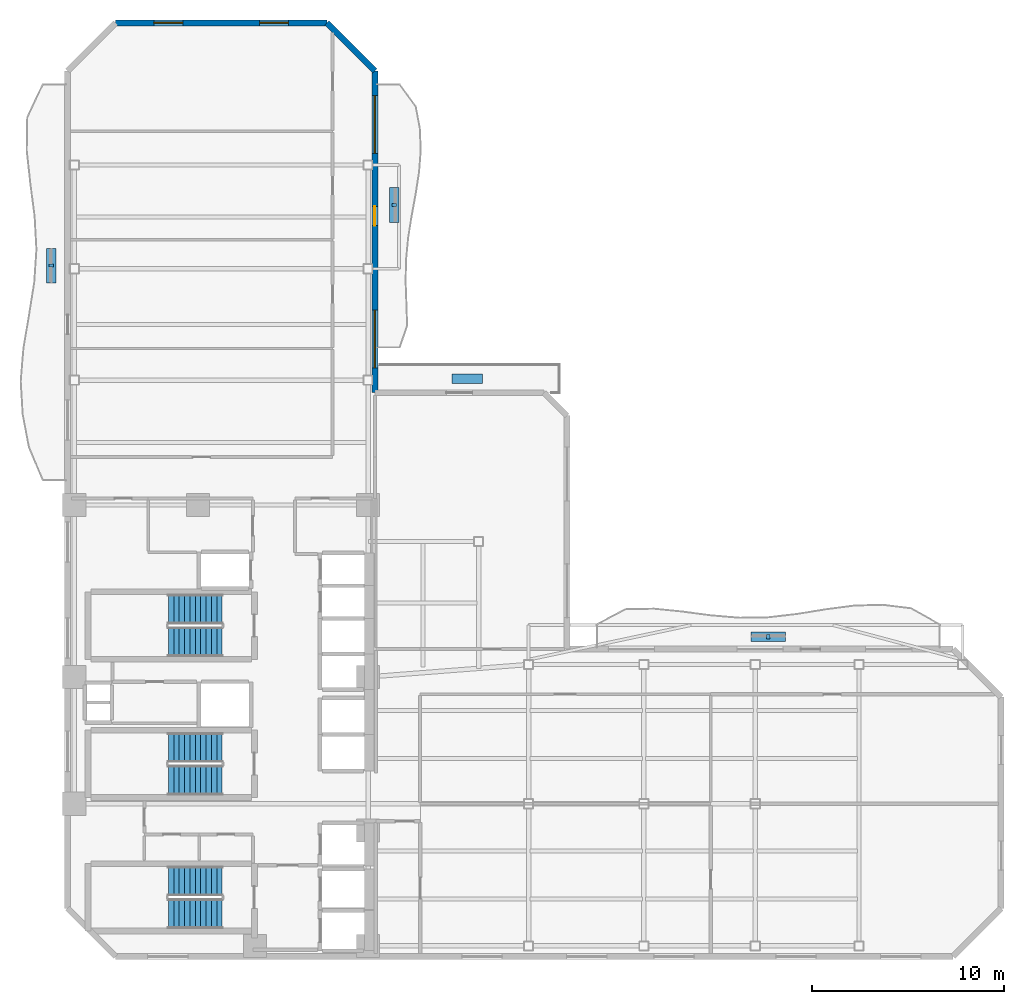
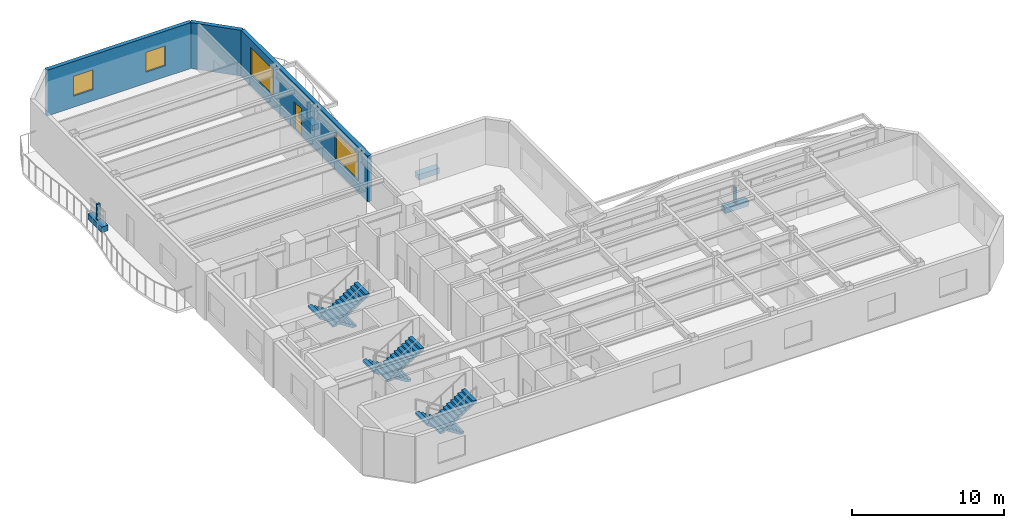
# One storey, part 6 of 9: 7 discrete accessories, 6 stair flights, 4 windows, 3 walls, 1 door, 5 openings, 3 elements without a shape of their own.
"""IFC4 building model written with IfcOpenShell, lengths in metres."""

from ifc_helpers import new_model, si_unit, direction, frame, frame_2d, origin, origin_2d, place, context, subcontext, project, spatial, polyline, rectangle, outline, extrude, material, layer, layer_set, type_object, element, fill, aggregate, save


model = new_model("IFC4")

# Units and contexts
model_context = context("Model", 3, precision=1e-05, world=origin(), true_north=direction((0.0, 1.0)))
body_context = subcontext(model_context, "Body", "Model", "MODEL_VIEW")
ifc_project = project(units=[si_unit("LENGTHUNIT", "METRE"), si_unit("AREAUNIT", "SQUARE_METRE"), si_unit("VOLUMEUNIT", "CUBIC_METRE"), si_unit("PLANEANGLEUNIT", "RADIAN"), si_unit("MASSUNIT", "GRAM", prefix="KILO")], contexts=[model_context])

# Site, building, storey
site_placement = place(None, origin())
site = spatial("IfcSite", under=ifc_project, at=site_placement, CompositionType="ELEMENT")
building_placement = place(site_placement, origin())
building = spatial("IfcBuilding", under=site, at=building_placement, Name="Mawjaban Terraces University", CompositionType="ELEMENT")
storey_placement = place(building_placement, frame((0.0, 0.0, 115.10009765625)))
storey = spatial("IfcBuildingStorey", under=building, at=storey_placement, Name="L27", CompositionType="ELEMENT", Elevation=115.10009765625)

# Wall, openings, door, windows
ifc_material_1 = material(Name="Insulated terracotta rainscreen on concrete backup C40/50", Category="masonry")
ifc_layer = layer(ifc_material_1, 0.300048828125)
ifc_layer_set = layer_set([ifc_layer], Name="Insulated terracotta rainscreen on concrete backup C40/50")
wall_type = type_object("IfcWallType", Name="ExtTerracottaWall_300", PredefinedType="SOLIDWALL", material=ifc_layer_set)
wall_1_placement = place(storey_placement, frame((38.0, 29.35009765625, 0.0), z_axis=(0.0, 0.0, 1.0), x_axis=(0.0, 1.0, 0.0)))
wall_1 = element("IfcWall", 1, at=wall_1_placement, inside=storey, type_object=wall_type, Name="L27 Exterior Terracotta Wall 9", PredefinedType="SOLIDWALL", context=body_context, shape_type="SweptSolid", body=[
    extrude(rectangle(XDim=16.75, YDim=0.300048828125, at=frame_2d((8.375, 0.0))), origin(), (0.0, 0.0, 1.0), 3.68994140625),
])
opening_1_placement = place(wall_1_placement, frame((8.699951171875, 0.0, 0.0)))
opening_1 = element("IfcOpeningElement", 2, at=opening_1_placement, cuts=wall_1, Name="Opening BD-100", PredefinedType="OPENING", context=body_context, shape_type="SweptSolid", body=[
    extrude(rectangle(XDim=1.0, YDim=2.199951171875, at=frame_2d((0.5, 1.10009765625))), frame((0.0, 0.159912109375, 0.0), z_axis=(0.0, -1.0, 0.0), x_axis=(1.0, 0.0, 0.0)), (0.0, 0.0, 1.0), 0.320068359375),
])
opening_2_placement = place(wall_1_placement, frame((1.2919921875, 0.0, 0.89990234375)))
opening_2 = element("IfcOpeningElement", 3, at=opening_2_placement, cuts=wall_1, Name="Opening W-12", PredefinedType="OPENING", context=body_context, shape_type="SweptSolid", body=[
    extrude(rectangle(XDim=3.0, YDim=2.199951171875, at=frame_2d((1.5, 1.10009765625))), frame((0.0, 0.159912109375, 0.0), z_axis=(0.0, -1.0, 0.0), x_axis=(1.0, 0.0, 0.0)), (0.0, 0.0, 1.0), 0.320068359375),
])
opening_3_placement = place(wall_1_placement, frame((12.4580078125, 0.0, 0.89990234375)))
opening_3 = element("IfcOpeningElement", 4, at=opening_3_placement, cuts=wall_1, Name="Opening W-12", PredefinedType="OPENING", context=body_context, shape_type="SweptSolid", body=[
    extrude(rectangle(XDim=3.0, YDim=2.199951171875, at=frame_2d((1.5, 1.10009765625))), frame((0.0, 0.159912109375, 0.0), z_axis=(0.0, -1.0, 0.0), x_axis=(1.0, 0.0, 0.0)), (0.0, 0.0, 1.0), 0.320068359375),
])
ifc_material_2 = material(Name="Thermally broken anodised aluminium and laminated safety glass", Category="aluminium")
door_type = type_object("IfcDoorType", Name="BalconyGlazedDoor_1000x2200", OperationType="NOTDEFINED", PredefinedType="DOOR", material=ifc_material_2)
door_placement = place(opening_1_placement, origin())
door = element("IfcDoor", 5, at=door_placement, inside=storey, type_object=door_type, Name="L27 Balcony Access Door inner_east", OperationType="SINGLE_SWING_RIGHT", OverallHeight=2.199951171875, OverallWidth=1.0, PredefinedType="DOOR", context=body_context, shape_type="SweptSolid", body=[
    extrude(rectangle(XDim=1.0, YDim=2.199951171875, at=frame_2d((0.5, 1.10009765625))), frame((0.0, 0.02490234375, 0.0), z_axis=(0.0, -1.0, 0.0), x_axis=(1.0, 0.0, 0.0)), (0.0, 0.0, 1.0), 0.050048828125),
])
fill(opening_1, door)
ifc_material_3 = material(Name="Low-E solar-control double glazing in thermally broken aluminium frame", Category="aluminium")
window_type_1 = type_object("IfcWindowType", Name="Win_3000x2200", PartitioningType="SINGLE_PANEL", PredefinedType="WINDOW", material=ifc_material_3)
window_1_placement = place(opening_2_placement, origin())
window_1 = element("IfcWindow", 6, at=window_1_placement, inside=storey, type_object=window_type_1, Name="L27 Facade Window 9.1", OverallHeight=2.199951171875, OverallWidth=3.0, PartitioningType="SINGLE_PANEL", PredefinedType="WINDOW", context=body_context, shape_type="SweptSolid", body=[
    extrude(rectangle(XDim=3.0, YDim=2.199951171875, at=frame_2d((1.5, 1.10009765625))), frame((0.0, 0.030029296875, 0.0), z_axis=(0.0, -1.0, 0.0), x_axis=(1.0, 0.0, 0.0)), (0.0, 0.0, 1.0), 0.06005859375),
])
fill(opening_2, window_1)
window_2_placement = place(opening_3_placement, origin())
window_2 = element("IfcWindow", 7, at=window_2_placement, inside=storey, type_object=window_type_1, Name="L27 Facade Window 9.3", OverallHeight=2.199951171875, OverallWidth=3.0, PartitioningType="SINGLE_PANEL", PredefinedType="WINDOW", context=body_context, shape_type="SweptSolid", body=[
    extrude(rectangle(XDim=3.0, YDim=2.199951171875, at=frame_2d((1.5, 1.10009765625))), frame((0.0, 0.030029296875, 0.0), z_axis=(0.0, -1.0, 0.0), x_axis=(1.0, 0.0, 0.0)), (0.0, 0.0, 1.0), 0.06005859375),
])
fill(opening_3, window_2)

# Wall
wall_2_placement = place(storey_placement, frame((38.0, 46.10009765625, 0.0), z_axis=(0.0, 0.0, 1.0), x_axis=(-0.707106781187, 0.707106781187, 0.0)))
element("IfcWall", 8, at=wall_2_placement, inside=storey, type_object=wall_type, Name="L27 Exterior Terracotta Wall 10", PredefinedType="SOLIDWALL", context=body_context, shape_type="SweptSolid", body=[
    extrude(rectangle(XDim=3.53564453125, YDim=0.300048828125, at=frame_2d((1.767822265625, 0.0))), origin(), (0.0, 0.0, 1.0), 3.68994140625),
])

# Wall, openings, windows
wall_3_placement = place(storey_placement, frame((35.5, 48.60009765625, 0.0), z_axis=(0.0, 0.0, 1.0), x_axis=(-1.0, 0.0, 0.0)))
wall_3 = element("IfcWall", 9, at=wall_3_placement, inside=storey, type_object=wall_type, Name="L27 Exterior Terracotta Wall 11", PredefinedType="SOLIDWALL", context=body_context, shape_type="SweptSolid", body=[
    extrude(rectangle(XDim=11.0, YDim=0.300048828125, at=frame_2d((5.5, 0.0))), origin(), (0.0, 0.0, 1.0), 3.68994140625),
])
opening_4_placement = place(wall_3_placement, frame((2.0, 0.0, 0.89990234375)))
opening_4 = element("IfcOpeningElement", 10, at=opening_4_placement, cuts=wall_3, Name="Opening W-02", PredefinedType="OPENING", context=body_context, shape_type="SweptSolid", body=[
    extrude(rectangle(XDim=1.5, YDim=1.60009765625, at=frame_2d((0.75, 0.800048828125))), frame((0.0, 0.159912109375, 0.0), z_axis=(0.0, -1.0, 0.0), x_axis=(1.0, 0.0, 0.0)), (0.0, 0.0, 1.0), 0.320068359375),
])
opening_5_placement = place(wall_3_placement, frame((7.5, 0.0, 0.89990234375)))
opening_5 = element("IfcOpeningElement", 11, at=opening_5_placement, cuts=wall_3, Name="Opening W-02", PredefinedType="OPENING", context=body_context, shape_type="SweptSolid", body=[
    extrude(rectangle(XDim=1.5, YDim=1.60009765625, at=frame_2d((0.75, 0.800048828125))), frame((0.0, 0.159912109375, 0.0), z_axis=(0.0, -1.0, 0.0), x_axis=(1.0, 0.0, 0.0)), (0.0, 0.0, 1.0), 0.320068359375),
])
window_type_2 = type_object("IfcWindowType", Name="Win_1500x1600", PartitioningType="SINGLE_PANEL", PredefinedType="WINDOW", material=ifc_material_3)
window_3_placement = place(opening_4_placement, origin())
window_3 = element("IfcWindow", 12, at=window_3_placement, inside=storey, type_object=window_type_2, Name="L27 Facade Window 11.1", OverallHeight=1.60009765625, OverallWidth=1.5, PartitioningType="SINGLE_PANEL", PredefinedType="WINDOW", context=body_context, shape_type="SweptSolid", body=[
    extrude(rectangle(XDim=1.5, YDim=1.60009765625, at=frame_2d((0.75, 0.800048828125))), frame((0.0, 0.030029296875, 0.0), z_axis=(0.0, -1.0, 0.0), x_axis=(1.0, 0.0, 0.0)), (0.0, 0.0, 1.0), 0.06005859375),
])
fill(opening_4, window_3)
window_4_placement = place(opening_5_placement, origin())
window_4 = element("IfcWindow", 13, at=window_4_placement, inside=storey, type_object=window_type_2, Name="L27 Facade Window 11.2", OverallHeight=1.60009765625, OverallWidth=1.5, PartitioningType="SINGLE_PANEL", PredefinedType="WINDOW", context=body_context, shape_type="SweptSolid", body=[
    extrude(rectangle(XDim=1.5, YDim=1.60009765625, at=frame_2d((0.75, 0.800048828125))), frame((0.0, 0.030029296875, 0.0), z_axis=(0.0, -1.0, 0.0), x_axis=(1.0, 0.0, 0.0)), (0.0, 0.0, 1.0), 0.06005859375),
])
fill(opening_5, window_4)

# Stair, stair flights
ifc_material_4 = material(Name="Concrete C40/50", Category="concrete")
stair_type = type_object("IfcStairType", Name="Stair_Core1550_H39", PredefinedType="HALF_TURN_STAIR", material=ifc_material_4)
stair_1_placement = place(storey_placement, origin())
stair_1 = element("IfcStair", 14, at=stair_1_placement, inside=storey, type_object=stair_type, Name="L27 Core Exit Stair 1", PredefinedType="HALF_TURN_STAIR")
stair_flight_type = type_object("IfcStairFlightType", Name="Flight_Core1550_H39", PredefinedType="STRAIGHT", material=ifc_material_4)
stair_flight_1_placement = place(storey_placement, frame((30.050048828125, 3.925048828125, 0.0), z_axis=(0.0, 0.0, 1.0), x_axis=(-1.0, 0.0, 0.0)))
stair_flight_1 = element("IfcStairFlight", 15, at=stair_flight_1_placement, type_object=stair_flight_type, Name="ST-1 flight 1", NumberOfRisers=11, NumberOfTreads=10, PredefinedType="STRAIGHT", RiserHeight=0.177272727, TreadLength=0.28, context=body_context, shape_type="SweptSolid", body=[
    extrude(outline(polyline([(0.0, 0.0), (0.0, 0.17724609375), (0.280029296875, 0.17724609375), (0.280029296875, 0.3544921875), (0.56005859375, 0.3544921875), (0.56005859375, 0.53173828125), (0.840087890625, 0.53173828125), (0.840087890625, 0.708984375), (1.1201171875, 0.708984375), (1.1201171875, 0.886474609375), (1.39990234375, 0.886474609375), (1.39990234375, 1.063720703125), (1.679931640625, 1.063720703125), (1.679931640625, 1.240966796875), (1.9599609375, 1.240966796875), (1.9599609375, 1.418212890625), (2.239990234375, 1.418212890625), (2.239990234375, 1.595458984375), (2.52001953125, 1.595458984375), (2.52001953125, 1.772705078125), (2.800048828125, 1.772705078125), (2.800048828125, 1.949951171875), (2.800048828125, 1.59521484375), (0.2802734375, 0.0), (0.0, 0.0)])), frame((0.0, 0.77490234375, 0.0), z_axis=(0.0, -1.0, 0.0), x_axis=(1.0, 0.0, 0.0)), (0.0, 0.0, 1.0), 1.550048828125),
])
stair_flight_2_placement = place(storey_placement, frame((27.25, 2.22509765625, 1.949951171875), z_axis=(0.0, 0.0, 1.0), x_axis=(1.0, 0.0, 0.0)))
stair_flight_2 = element("IfcStairFlight", 16, at=stair_flight_2_placement, type_object=stair_flight_type, Name="ST-1 flight 2", NumberOfRisers=11, NumberOfTreads=10, PredefinedType="STRAIGHT", RiserHeight=0.177272727, TreadLength=0.28, context=body_context, shape_type="SweptSolid", body=[
    extrude(outline(polyline([(0.0, 0.0), (0.0, 0.17724609375), (0.280029296875, 0.17724609375), (0.280029296875, 0.3544921875), (0.56005859375, 0.3544921875), (0.56005859375, 0.53173828125), (0.840087890625, 0.53173828125), (0.840087890625, 0.708984375), (1.1201171875, 0.708984375), (1.1201171875, 0.886474609375), (1.39990234375, 0.886474609375), (1.39990234375, 1.063720703125), (1.679931640625, 1.063720703125), (1.679931640625, 1.240966796875), (1.9599609375, 1.240966796875), (1.9599609375, 1.418212890625), (2.239990234375, 1.418212890625), (2.239990234375, 1.595458984375), (2.52001953125, 1.595458984375), (2.52001953125, 1.772705078125), (2.800048828125, 1.772705078125), (2.800048828125, 1.949951171875), (2.800048828125, 1.59521484375), (0.2802734375, 0.0), (0.0, 0.0)])), frame((0.0, 0.77490234375, 0.0), z_axis=(0.0, -1.0, 0.0), x_axis=(1.0, 0.0, 0.0)), (0.0, 0.0, 1.0), 1.550048828125),
])
aggregate(stair_1, [stair_flight_1, stair_flight_2])

stair_2_placement = place(storey_placement, origin())
stair_2 = element("IfcStair", 17, at=stair_2_placement, inside=storey, type_object=stair_type, Name="L27 Core Exit Stair 2", PredefinedType="HALF_TURN_STAIR")
stair_flight_3_placement = place(storey_placement, frame((30.050048828125, 18.074951171875, 0.0), z_axis=(0.0, 0.0, 1.0), x_axis=(-1.0, 0.0, 0.0)))
stair_flight_3 = element("IfcStairFlight", 18, at=stair_flight_3_placement, type_object=stair_flight_type, Name="ST-2 flight 1", NumberOfRisers=11, NumberOfTreads=10, PredefinedType="STRAIGHT", RiserHeight=0.177272727, TreadLength=0.28, context=body_context, shape_type="SweptSolid", body=[
    extrude(outline(polyline([(0.0, 0.0), (0.0, 0.17724609375), (0.280029296875, 0.17724609375), (0.280029296875, 0.3544921875), (0.56005859375, 0.3544921875), (0.56005859375, 0.53173828125), (0.840087890625, 0.53173828125), (0.840087890625, 0.708984375), (1.1201171875, 0.708984375), (1.1201171875, 0.886474609375), (1.39990234375, 0.886474609375), (1.39990234375, 1.063720703125), (1.679931640625, 1.063720703125), (1.679931640625, 1.240966796875), (1.9599609375, 1.240966796875), (1.9599609375, 1.418212890625), (2.239990234375, 1.418212890625), (2.239990234375, 1.595458984375), (2.52001953125, 1.595458984375), (2.52001953125, 1.772705078125), (2.800048828125, 1.772705078125), (2.800048828125, 1.949951171875), (2.800048828125, 1.59521484375), (0.2802734375, 0.0), (0.0, 0.0)])), frame((0.0, 0.77490234375, 0.0), z_axis=(0.0, -1.0, 0.0), x_axis=(1.0, 0.0, 0.0)), (0.0, 0.0, 1.0), 1.550048828125),
])
stair_flight_4_placement = place(storey_placement, frame((27.25, 16.375, 1.949951171875), z_axis=(0.0, 0.0, 1.0), x_axis=(1.0, 0.0, 0.0)))
stair_flight_4 = element("IfcStairFlight", 19, at=stair_flight_4_placement, type_object=stair_flight_type, Name="ST-2 flight 2", NumberOfRisers=11, NumberOfTreads=10, PredefinedType="STRAIGHT", RiserHeight=0.177272727, TreadLength=0.28, context=body_context, shape_type="SweptSolid", body=[
    extrude(outline(polyline([(0.0, 0.0), (0.0, 0.17724609375), (0.280029296875, 0.17724609375), (0.280029296875, 0.3544921875), (0.56005859375, 0.3544921875), (0.56005859375, 0.53173828125), (0.840087890625, 0.53173828125), (0.840087890625, 0.708984375), (1.1201171875, 0.708984375), (1.1201171875, 0.886474609375), (1.39990234375, 0.886474609375), (1.39990234375, 1.063720703125), (1.679931640625, 1.063720703125), (1.679931640625, 1.240966796875), (1.9599609375, 1.240966796875), (1.9599609375, 1.418212890625), (2.239990234375, 1.418212890625), (2.239990234375, 1.595458984375), (2.52001953125, 1.595458984375), (2.52001953125, 1.772705078125), (2.800048828125, 1.772705078125), (2.800048828125, 1.949951171875), (2.800048828125, 1.59521484375), (0.2802734375, 0.0), (0.0, 0.0)])), frame((0.0, 0.77490234375, 0.0), z_axis=(0.0, -1.0, 0.0), x_axis=(1.0, 0.0, 0.0)), (0.0, 0.0, 1.0), 1.550048828125),
])
aggregate(stair_2, [stair_flight_3, stair_flight_4])

stair_3_placement = place(storey_placement, origin())
stair_3 = element("IfcStair", 20, at=stair_3_placement, inside=storey, type_object=stair_type, Name="L27 Core Exit Stair 3", PredefinedType="HALF_TURN_STAIR")
stair_flight_5_placement = place(storey_placement, frame((30.050048828125, 10.875, 0.0), z_axis=(0.0, 0.0, 1.0), x_axis=(-1.0, 0.0, 0.0)))
stair_flight_5 = element("IfcStairFlight", 21, at=stair_flight_5_placement, type_object=stair_flight_type, Name="ST-3 flight 1", NumberOfRisers=11, NumberOfTreads=10, PredefinedType="STRAIGHT", RiserHeight=0.177272727, TreadLength=0.28, context=body_context, shape_type="SweptSolid", body=[
    extrude(outline(polyline([(0.0, 0.0), (0.0, 0.17724609375), (0.280029296875, 0.17724609375), (0.280029296875, 0.3544921875), (0.56005859375, 0.3544921875), (0.56005859375, 0.53173828125), (0.840087890625, 0.53173828125), (0.840087890625, 0.708984375), (1.1201171875, 0.708984375), (1.1201171875, 0.886474609375), (1.39990234375, 0.886474609375), (1.39990234375, 1.063720703125), (1.679931640625, 1.063720703125), (1.679931640625, 1.240966796875), (1.9599609375, 1.240966796875), (1.9599609375, 1.418212890625), (2.239990234375, 1.418212890625), (2.239990234375, 1.595458984375), (2.52001953125, 1.595458984375), (2.52001953125, 1.772705078125), (2.800048828125, 1.772705078125), (2.800048828125, 1.949951171875), (2.800048828125, 1.59521484375), (0.2802734375, 0.0), (0.0, 0.0)])), frame((0.0, 0.77490234375, 0.0), z_axis=(0.0, -1.0, 0.0), x_axis=(1.0, 0.0, 0.0)), (0.0, 0.0, 1.0), 1.550048828125),
])
stair_flight_6_placement = place(storey_placement, frame((27.25, 9.175048828125, 1.949951171875), z_axis=(0.0, 0.0, 1.0), x_axis=(1.0, 0.0, 0.0)))
stair_flight_6 = element("IfcStairFlight", 22, at=stair_flight_6_placement, type_object=stair_flight_type, Name="ST-3 flight 2", NumberOfRisers=11, NumberOfTreads=10, PredefinedType="STRAIGHT", RiserHeight=0.177272727, TreadLength=0.28, context=body_context, shape_type="SweptSolid", body=[
    extrude(outline(polyline([(0.0, 0.0), (0.0, 0.17724609375), (0.280029296875, 0.17724609375), (0.280029296875, 0.3544921875), (0.56005859375, 0.3544921875), (0.56005859375, 0.53173828125), (0.840087890625, 0.53173828125), (0.840087890625, 0.708984375), (1.1201171875, 0.708984375), (1.1201171875, 0.886474609375), (1.39990234375, 0.886474609375), (1.39990234375, 1.063720703125), (1.679931640625, 1.063720703125), (1.679931640625, 1.240966796875), (1.9599609375, 1.240966796875), (1.9599609375, 1.418212890625), (2.239990234375, 1.418212890625), (2.239990234375, 1.595458984375), (2.52001953125, 1.595458984375), (2.52001953125, 1.772705078125), (2.800048828125, 1.772705078125), (2.800048828125, 1.949951171875), (2.800048828125, 1.59521484375), (0.2802734375, 0.0), (0.0, 0.0)])), frame((0.0, 0.77490234375, 0.0), z_axis=(0.0, -1.0, 0.0), x_axis=(1.0, 0.0, 0.0)), (0.0, 0.0, 1.0), 1.550048828125),
])
aggregate(stair_3, [stair_flight_5, stair_flight_6])

# Discrete accessories
ifc_material_5 = material(Name="Stainless steel 316L", Category="steel")
discrete_accessory_type_1 = type_object("IfcDiscreteAccessoryType", Name="FacadeScreenBracket_Steel", PredefinedType="BRACKET", material=ifc_material_5)
for number, where, z_axis, x_axis, name in (
    (23, (21.159912109375, 35.958984375, 0.419921875), (0.0, 0.0, 1.0), (0.0, 1.0, 0.0), "L27 Balcony Screen Support Bracket west"),
    (24, (58.47802734375, 16.64501953125, 0.419921875), (0.0, 0.0, 1.0), (1.0, 0.0, 0.0), "L27 Balcony Screen Support Bracket inner_north"),
    (25, (39.009033203125, 39.12109375, 0.419921875), (0.0, 0.0, 1.0), (0.0, 1.0, 0.0), "L27 Balcony Screen Support Bracket inner_east"),
):
    element("IfcDiscreteAccessory", number, at=place(storey_placement, frame(where, z_axis=z_axis, x_axis=x_axis)), inside=storey, type_object=discrete_accessory_type_1, Name=name, PredefinedType="BRACKET", context=body_context, shape_type="SweptSolid", body=[
        extrude(rectangle(XDim=0.159912109375, YDim=0.239990234375, at=origin_2d()), origin(), (0.0, 0.0, 1.0), 1.300048828125),
    ])
ifc_material_6 = material(Name="Precast architectural terracotta planter with engineered planting soil", Category="masonry")
discrete_accessory_type_2 = type_object("IfcDiscreteAccessoryType", Name="IrrigatedPlanterTrough_450", PredefinedType="USERDEFINED", material=ifc_material_6)
for number, where, z_axis, x_axis, name in (
    (26, (21.159912109375, 35.958984375, -0.0048828125), (0.0, 0.0, 1.0), (0.0, 1.0, 0.0), "L27 Balcony Irrigated Planter west"),
    (27, (58.47802734375, 16.64501953125, -0.0048828125), (0.0, 0.0, 1.0), (1.0, 0.0, 0.0), "L27 Balcony Irrigated Planter inner_north"),
    (28, (39.009033203125, 39.12109375, -0.0048828125), (0.0, 0.0, 1.0), (0.0, 1.0, 0.0), "L27 Balcony Irrigated Planter inner_east"),
):
    element("IfcDiscreteAccessory", number, at=place(storey_placement, frame(where, z_axis=z_axis, x_axis=x_axis)), inside=storey, type_object=discrete_accessory_type_2, Name=name, ObjectType="PLANTER", PredefinedType="USERDEFINED", context=body_context, shape_type="SweptSolid", body=[
        extrude(rectangle(XDim=1.800048828125, YDim=0.5, at=origin_2d()), origin(), (0.0, 0.0, 1.0), 0.449951171875),
    ])
discrete_accessory_placement = place(storey_placement, frame((42.802001953125, 30.074951171875, -0.0048828125), z_axis=(0.0, 0.0, 1.0), x_axis=(1.0, 0.0, 0.0)))
element("IfcDiscreteAccessory", 29, at=discrete_accessory_placement, inside=storey, type_object=discrete_accessory_type_2, Name="L27 Terrace Planter TER-L27-CLIMB", ObjectType="PLANTER", PredefinedType="USERDEFINED", context=body_context, shape_type="SweptSolid", body=[
    extrude(rectangle(XDim=1.60009765625, YDim=0.5, at=origin_2d()), origin(), (0.0, 0.0, 1.0), 0.449951171875),
])

save(model, "model.ifc")
